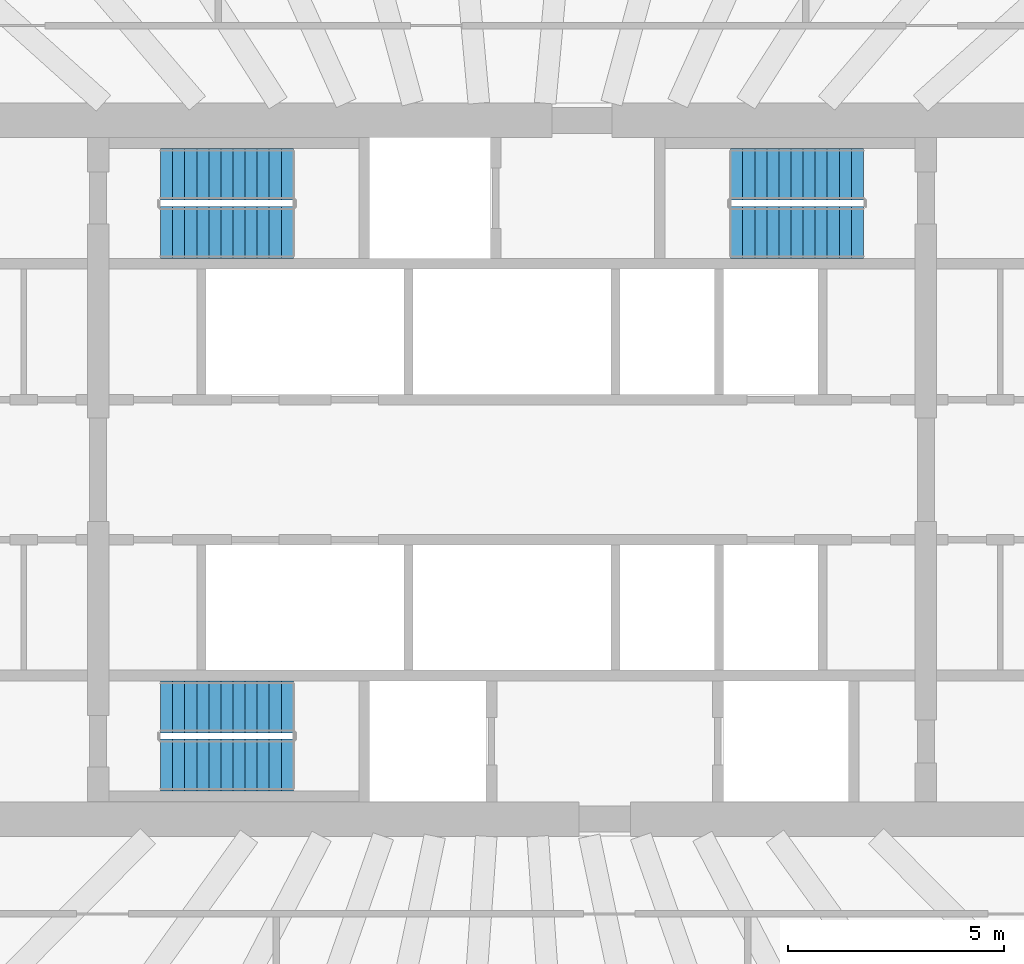
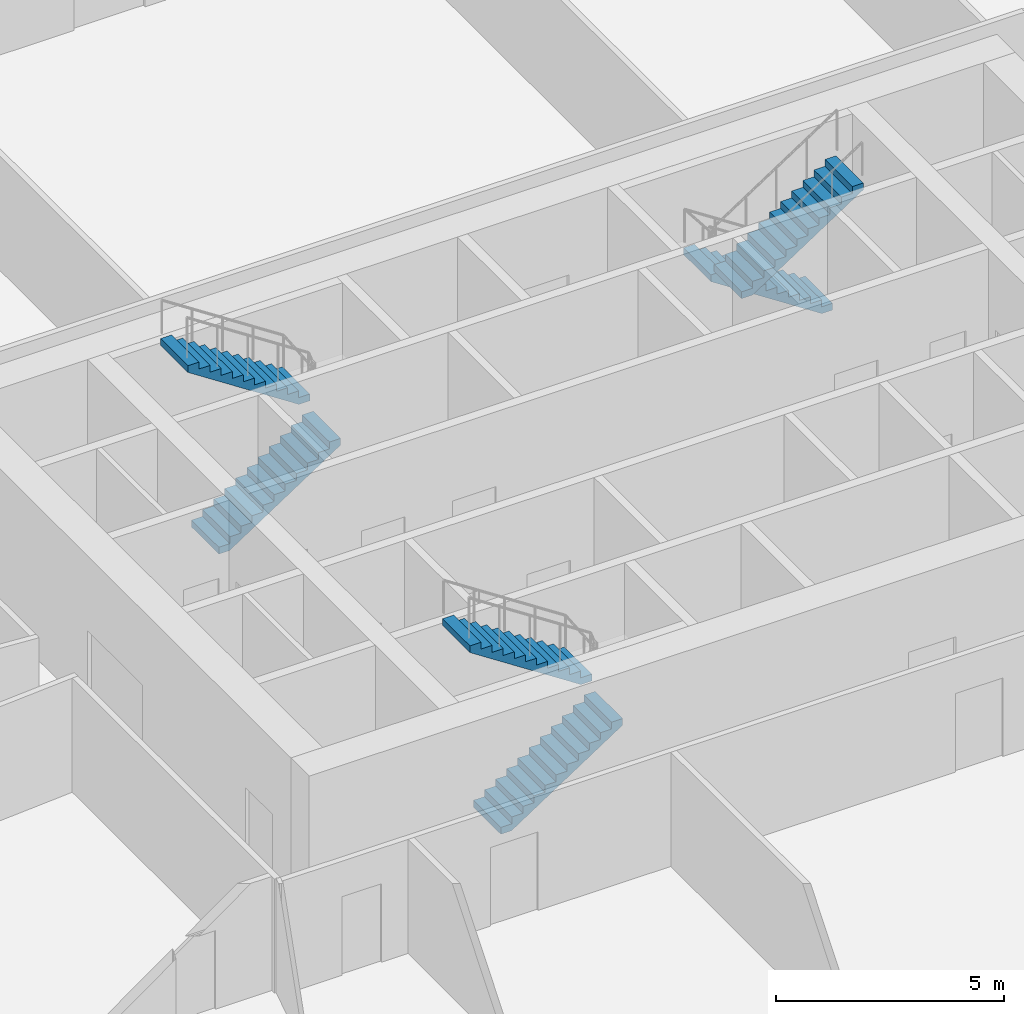
# One storey, part 8 of 12: 6 stair flights, 3 elements without a shape of their own.
"""IFC4 building model written with IfcOpenShell, lengths in metres."""

from ifc_helpers import new_model, si_unit, direction, frame, origin, place, context, subcontext, project, spatial, polyline, outline, extrude, material, layer, layer_set, type_object, element, aggregate, save


model = new_model("IFC4")

# Units and contexts
model_context = context("Model", 3, precision=1e-05, world=origin(), true_north=direction((0.0, 1.0)))
body_context = subcontext(model_context, "Body", "Model", "MODEL_VIEW")
ifc_project = project(units=[si_unit("LENGTHUNIT", "METRE"), si_unit("AREAUNIT", "SQUARE_METRE"), si_unit("VOLUMEUNIT", "CUBIC_METRE"), si_unit("PLANEANGLEUNIT", "RADIAN"), si_unit("MASSUNIT", "GRAM", prefix="KILO")], contexts=[model_context])

# Site, building, storey
site_placement = place(None, origin())
site = spatial("IfcSite", under=ifc_project, at=site_placement, CompositionType="ELEMENT")
building_placement = place(site_placement, origin())
building = spatial("IfcBuilding", under=site, at=building_placement, Name="Frailejon Research Tower", CompositionType="ELEMENT")
storey_placement = place(building_placement, frame((0.0, 0.0, 122.0)))
storey = spatial("IfcBuildingStorey", under=building, at=storey_placement, Name="L26", CompositionType="ELEMENT", Elevation=122.0)

# Stair, stair flights
ifc_material_1 = material(Name="Concrete C50/60", Category="concrete")
stair_type = type_object("IfcStairType", Name="Exit stair 24 risers", PredefinedType="HALF_TURN_STAIR", material=ifc_material_1)
stair_1_placement = place(storey_placement, origin())
stair_1 = element("IfcStair", 1, at=stair_1_placement, inside=storey, type_object=stair_type, Name="L26 Exit stair ST1", PredefinedType="HALF_TURN_STAIR")
ifc_material_2 = material(Name="Concrete C50/60", Category="concrete")
ifc_layer = layer(ifc_material_2, 0.14990234375)
ifc_layer_set = layer_set([ifc_layer], Name="Stair flight 12 risers")
stair_flight_type = type_object("IfcStairFlightType", Name="Stair flight 12 risers", PredefinedType="STRAIGHT", material=ifc_layer_set)
stair_flight_1_placement = place(storey_placement, frame((-8.14990234375, 5.5, 0.0), z_axis=(0.0, 0.0, 1.0), x_axis=(1.0, 0.0, 0.0)))
stair_flight_1 = element("IfcStairFlight", 2, at=stair_flight_1_placement, type_object=stair_flight_type, Name="ST1 flight 1", NumberOfRisers=12, NumberOfTreads=11, PredefinedType="STRAIGHT", RiserHeight=0.183333333, TreadLength=0.28, context=body_context, shape_type="SweptSolid", body=[
    extrude(outline(polyline([(0.0, 0.0), (0.0, 0.183349609375), (0.280029296875, 0.183349609375), (0.280029296875, 0.36669921875), (0.56005859375, 0.36669921875), (0.56005859375, 0.550048828125), (0.840087890625, 0.550048828125), (0.840087890625, 0.7333984375), (1.1201171875, 0.7333984375), (1.1201171875, 0.916748046875), (1.39990234375, 0.916748046875), (1.39990234375, 1.10009765625), (1.679931640625, 1.10009765625), (1.679931640625, 1.283447265625), (1.9599609375, 1.283447265625), (1.9599609375, 1.466552734375), (2.239990234375, 1.466552734375), (2.239990234375, 1.64990234375), (2.52001953125, 1.64990234375), (2.52001953125, 1.833251953125), (2.800048828125, 1.833251953125), (2.800048828125, 2.0166015625), (3.080078125, 2.0166015625), (3.080078125, 2.199951171875), (3.080078125, 1.83740234375), (0.273681640625, 0.0), (0.0, 0.0)])), frame((0.0, 0.60009765625, 0.0), z_axis=(0.0, -1.0, 0.0), x_axis=(1.0, 0.0, 0.0)), (0.0, 0.0, 1.0), 1.199951171875),
])
stair_flight_2_placement = place(storey_placement, frame((-5.070068359375, 6.85009765625, 2.199951171875), z_axis=(0.0, 0.0, 1.0), x_axis=(-1.0, 0.0, 0.0)))
stair_flight_2 = element("IfcStairFlight", 3, at=stair_flight_2_placement, type_object=stair_flight_type, Name="ST1 flight 2", NumberOfRisers=12, NumberOfTreads=11, PredefinedType="STRAIGHT", RiserHeight=0.183333333, TreadLength=0.28, context=body_context, shape_type="SweptSolid", body=[
    extrude(outline(polyline([(0.0, 0.0), (0.0, 0.183349609375), (0.280029296875, 0.183349609375), (0.280029296875, 0.36669921875), (0.56005859375, 0.36669921875), (0.56005859375, 0.550048828125), (0.840087890625, 0.550048828125), (0.840087890625, 0.7333984375), (1.1201171875, 0.7333984375), (1.1201171875, 0.916748046875), (1.39990234375, 0.916748046875), (1.39990234375, 1.10009765625), (1.679931640625, 1.10009765625), (1.679931640625, 1.283447265625), (1.9599609375, 1.283447265625), (1.9599609375, 1.466552734375), (2.239990234375, 1.466552734375), (2.239990234375, 1.64990234375), (2.52001953125, 1.64990234375), (2.52001953125, 1.833251953125), (2.800048828125, 1.833251953125), (2.800048828125, 2.0166015625), (3.080078125, 2.0166015625), (3.080078125, 2.199951171875), (3.080078125, 1.83740234375), (0.273681640625, 0.0), (0.0, 0.0)])), frame((0.0, 0.60009765625, 0.0), z_axis=(0.0, -1.0, 0.0), x_axis=(1.0, 0.0, 0.0)), (0.0, 0.0, 1.0), 1.199951171875),
])
aggregate(stair_1, [stair_flight_1, stair_flight_2])

stair_2_placement = place(storey_placement, origin())
stair_2 = element("IfcStair", 4, at=stair_2_placement, inside=storey, type_object=stair_type, Name="L26 Exit stair ST2", PredefinedType="HALF_TURN_STAIR")
stair_flight_3_placement = place(storey_placement, frame((-8.14990234375, -6.85009765625, 0.0), z_axis=(0.0, 0.0, 1.0), x_axis=(1.0, 0.0, 0.0)))
stair_flight_3 = element("IfcStairFlight", 5, at=stair_flight_3_placement, type_object=stair_flight_type, Name="ST2 flight 1", NumberOfRisers=12, NumberOfTreads=11, PredefinedType="STRAIGHT", RiserHeight=0.183333333, TreadLength=0.28, context=body_context, shape_type="SweptSolid", body=[
    extrude(outline(polyline([(0.0, 0.0), (0.0, 0.183349609375), (0.280029296875, 0.183349609375), (0.280029296875, 0.36669921875), (0.56005859375, 0.36669921875), (0.56005859375, 0.550048828125), (0.840087890625, 0.550048828125), (0.840087890625, 0.7333984375), (1.1201171875, 0.7333984375), (1.1201171875, 0.916748046875), (1.39990234375, 0.916748046875), (1.39990234375, 1.10009765625), (1.679931640625, 1.10009765625), (1.679931640625, 1.283447265625), (1.9599609375, 1.283447265625), (1.9599609375, 1.466552734375), (2.239990234375, 1.466552734375), (2.239990234375, 1.64990234375), (2.52001953125, 1.64990234375), (2.52001953125, 1.833251953125), (2.800048828125, 1.833251953125), (2.800048828125, 2.0166015625), (3.080078125, 2.0166015625), (3.080078125, 2.199951171875), (3.080078125, 1.83740234375), (0.273681640625, 0.0), (0.0, 0.0)])), frame((0.0, 0.60009765625, 0.0), z_axis=(0.0, -1.0, 0.0), x_axis=(1.0, 0.0, 0.0)), (0.0, 0.0, 1.0), 1.199951171875),
])
stair_flight_4_placement = place(storey_placement, frame((-5.070068359375, -5.5, 2.199951171875), z_axis=(0.0, 0.0, 1.0), x_axis=(-1.0, 0.0, 0.0)))
stair_flight_4 = element("IfcStairFlight", 6, at=stair_flight_4_placement, type_object=stair_flight_type, Name="ST2 flight 2", NumberOfRisers=12, NumberOfTreads=11, PredefinedType="STRAIGHT", RiserHeight=0.183333333, TreadLength=0.28, context=body_context, shape_type="SweptSolid", body=[
    extrude(outline(polyline([(0.0, 0.0), (0.0, 0.183349609375), (0.280029296875, 0.183349609375), (0.280029296875, 0.36669921875), (0.56005859375, 0.36669921875), (0.56005859375, 0.550048828125), (0.840087890625, 0.550048828125), (0.840087890625, 0.7333984375), (1.1201171875, 0.7333984375), (1.1201171875, 0.916748046875), (1.39990234375, 0.916748046875), (1.39990234375, 1.10009765625), (1.679931640625, 1.10009765625), (1.679931640625, 1.283447265625), (1.9599609375, 1.283447265625), (1.9599609375, 1.466552734375), (2.239990234375, 1.466552734375), (2.239990234375, 1.64990234375), (2.52001953125, 1.64990234375), (2.52001953125, 1.833251953125), (2.800048828125, 1.833251953125), (2.800048828125, 2.0166015625), (3.080078125, 2.0166015625), (3.080078125, 2.199951171875), (3.080078125, 1.83740234375), (0.273681640625, 0.0), (0.0, 0.0)])), frame((0.0, 0.60009765625, 0.0), z_axis=(0.0, -1.0, 0.0), x_axis=(1.0, 0.0, 0.0)), (0.0, 0.0, 1.0), 1.199951171875),
])
aggregate(stair_2, [stair_flight_3, stair_flight_4])

stair_3_placement = place(storey_placement, origin())
stair_3 = element("IfcStair", 7, at=stair_3_placement, inside=storey, type_object=stair_type, Name="L26 Exit stair ST3", PredefinedType="HALF_TURN_STAIR")
stair_flight_5_placement = place(storey_placement, frame((8.14990234375, 6.85009765625, 0.0), z_axis=(0.0, 0.0, 1.0), x_axis=(-1.0, 0.0, 0.0)))
stair_flight_5 = element("IfcStairFlight", 8, at=stair_flight_5_placement, type_object=stair_flight_type, Name="ST3 flight 1", NumberOfRisers=12, NumberOfTreads=11, PredefinedType="STRAIGHT", RiserHeight=0.183333333, TreadLength=0.28, context=body_context, shape_type="SweptSolid", body=[
    extrude(outline(polyline([(0.0, 0.0), (0.0, 0.183349609375), (0.280029296875, 0.183349609375), (0.280029296875, 0.36669921875), (0.56005859375, 0.36669921875), (0.56005859375, 0.550048828125), (0.840087890625, 0.550048828125), (0.840087890625, 0.7333984375), (1.1201171875, 0.7333984375), (1.1201171875, 0.916748046875), (1.39990234375, 0.916748046875), (1.39990234375, 1.10009765625), (1.679931640625, 1.10009765625), (1.679931640625, 1.283447265625), (1.9599609375, 1.283447265625), (1.9599609375, 1.466552734375), (2.239990234375, 1.466552734375), (2.239990234375, 1.64990234375), (2.52001953125, 1.64990234375), (2.52001953125, 1.833251953125), (2.800048828125, 1.833251953125), (2.800048828125, 2.0166015625), (3.080078125, 2.0166015625), (3.080078125, 2.199951171875), (3.080078125, 1.83740234375), (0.273681640625, 0.0), (0.0, 0.0)])), frame((0.0, 0.60009765625, 0.0), z_axis=(0.0, -1.0, 0.0), x_axis=(1.0, 0.0, 0.0)), (0.0, 0.0, 1.0), 1.199951171875),
])
stair_flight_6_placement = place(storey_placement, frame((5.070068359375, 5.5, 2.199951171875), z_axis=(0.0, 0.0, 1.0), x_axis=(1.0, 0.0, 0.0)))
stair_flight_6 = element("IfcStairFlight", 9, at=stair_flight_6_placement, type_object=stair_flight_type, Name="ST3 flight 2", NumberOfRisers=12, NumberOfTreads=11, PredefinedType="STRAIGHT", RiserHeight=0.183333333, TreadLength=0.28, context=body_context, shape_type="SweptSolid", body=[
    extrude(outline(polyline([(0.0, 0.0), (0.0, 0.183349609375), (0.280029296875, 0.183349609375), (0.280029296875, 0.36669921875), (0.56005859375, 0.36669921875), (0.56005859375, 0.550048828125), (0.840087890625, 0.550048828125), (0.840087890625, 0.7333984375), (1.1201171875, 0.7333984375), (1.1201171875, 0.916748046875), (1.39990234375, 0.916748046875), (1.39990234375, 1.10009765625), (1.679931640625, 1.10009765625), (1.679931640625, 1.283447265625), (1.9599609375, 1.283447265625), (1.9599609375, 1.466552734375), (2.239990234375, 1.466552734375), (2.239990234375, 1.64990234375), (2.52001953125, 1.64990234375), (2.52001953125, 1.833251953125), (2.800048828125, 1.833251953125), (2.800048828125, 2.0166015625), (3.080078125, 2.0166015625), (3.080078125, 2.199951171875), (3.080078125, 1.83740234375), (0.273681640625, 0.0), (0.0, 0.0)])), frame((0.0, 0.60009765625, 0.0), z_axis=(0.0, -1.0, 0.0), x_axis=(1.0, 0.0, 0.0)), (0.0, 0.0, 1.0), 1.199951171875),
])
aggregate(stair_3, [stair_flight_5, stair_flight_6])

save(model, "model.ifc")
